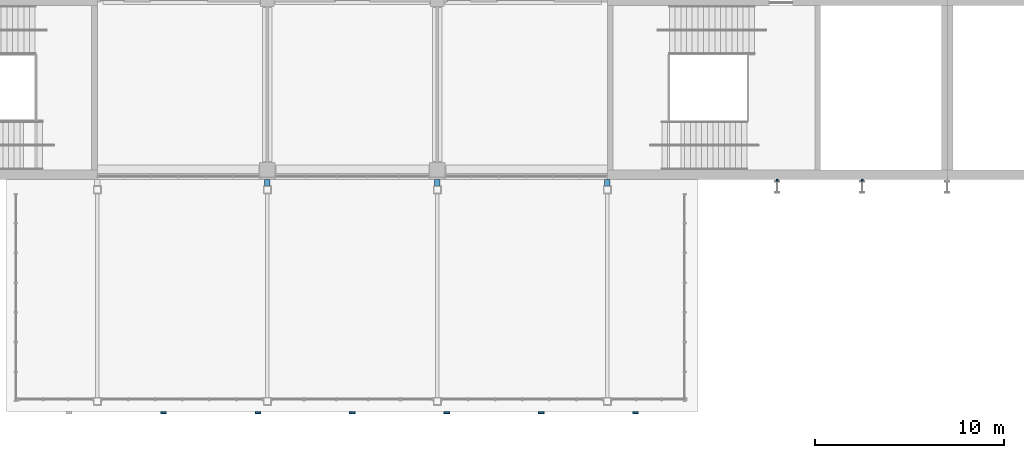
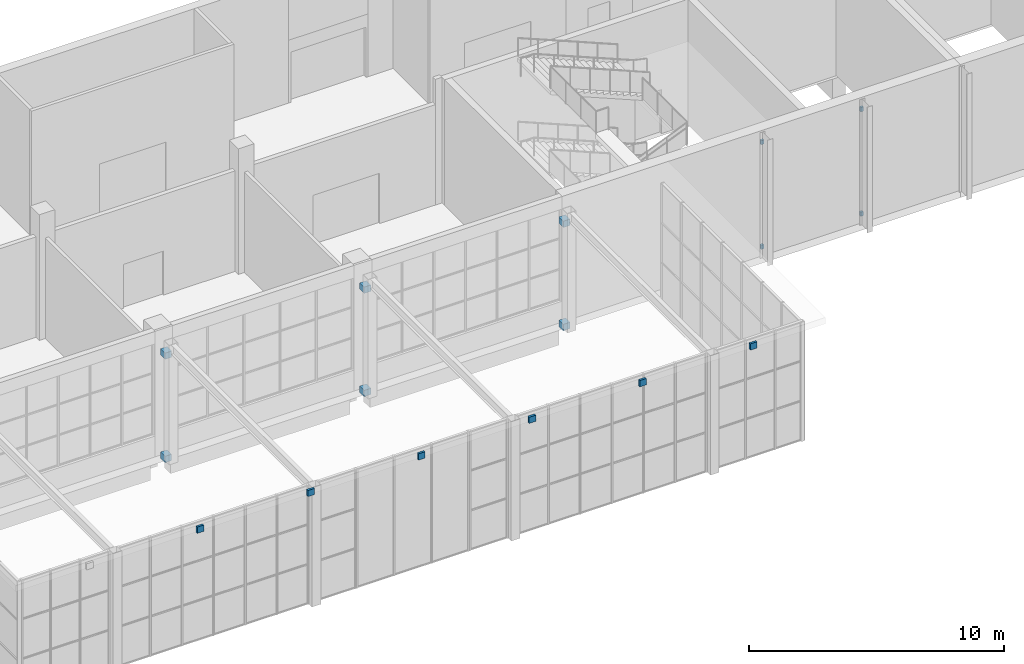
# One storey, part 56 of 89: 16 discrete accessories.
"""IFC4 building model written with IfcOpenShell, lengths in metres."""

from ifc_helpers import new_model, si_unit, direction, frame, origin, origin_2d, place, context, subcontext, project, spatial, rectangle, extrude, material, type_object, element, save


model = new_model("IFC4")

# Units and contexts
model_context = context("Model", 3, precision=1e-05, world=origin(), true_north=direction((0.0, 1.0)))
body_context = subcontext(model_context, "Body", "Model", "MODEL_VIEW")
ifc_project = project(units=[si_unit("LENGTHUNIT", "METRE"), si_unit("AREAUNIT", "SQUARE_METRE"), si_unit("VOLUMEUNIT", "CUBIC_METRE"), si_unit("PLANEANGLEUNIT", "RADIAN"), si_unit("MASSUNIT", "GRAM", prefix="KILO")], contexts=[model_context])

# Site, building, storey
site_placement = place(None, origin())
site = spatial("IfcSite", under=ifc_project, at=site_placement, CompositionType="ELEMENT")
building_placement = place(site_placement, origin())
building = spatial("IfcBuilding", under=site, at=building_placement, Name="Silverbay Arena", CompositionType="ELEMENT")
storey_placement = place(building_placement, frame((0.0, 0.0, 22.0)))
storey = spatial("IfcBuildingStorey", under=building, at=storey_placement, Name="L03", CompositionType="ELEMENT", Elevation=22.0)

# Discrete accessories
ifc_material = material(Name="Steel S355", Category="steel")
discrete_accessory_type = type_object("IfcDiscreteAccessoryType", Name="Steel bracket plate", PredefinedType="BRACKET", material=ifc_material)
for number, where, z_axis, x_axis, name in (
    (1, (153.0, 17.449951171875, 0.39990234375), (0.0, 0.0, 1.0), (1.0, 0.0, 0.0), "Fin bracket"),
    (2, (153.0, 17.449951171875, 5.39990234375), (0.0, 0.0, 1.0), (1.0, 0.0, 0.0), "Fin bracket"),
    (3, (157.5, 17.449951171875, 0.39990234375), (0.0, 0.0, 1.0), (1.0, 0.0, 0.0), "Fin bracket"),
    (4, (157.5, 17.449951171875, 5.39990234375), (0.0, 0.0, 1.0), (1.0, 0.0, 0.0), "Fin bracket"),
):
    element("IfcDiscreteAccessory", number, at=place(storey_placement, frame(where, z_axis=z_axis, x_axis=x_axis)), inside=storey, type_object=discrete_accessory_type, Name=name, PredefinedType="BRACKET", context=body_context, shape_type="SweptSolid", body=[
        extrude(rectangle(XDim=0.1201171875, YDim=0.10009765625, at=origin_2d()), origin(), (0.0, 0.0, 1.0), 0.199951171875),
    ])
for number, where, z_axis, x_axis, name in (
    (5, (126.0, 17.324951171875, -0.14990234375), (0.0, 0.0, 1.0), (1.0, 0.0, 0.0), "Hall column bracket plate"),
    (6, (126.0, 17.324951171875, 4.78271484375), (0.0, 0.0, 1.0), (1.0, 0.0, 0.0), "Hall column bracket plate"),
    (7, (135.0, 17.324951171875, -0.14990234375), (0.0, 0.0, 1.0), (1.0, 0.0, 0.0), "Hall column bracket plate"),
    (8, (135.0, 17.324951171875, 4.78271484375), (0.0, 0.0, 1.0), (1.0, 0.0, 0.0), "Hall column bracket plate"),
    (9, (144.0, 17.324951171875, -0.14990234375), (0.0, 0.0, 1.0), (1.0, 0.0, 0.0), "Hall column bracket plate"),
    (10, (144.0, 17.324951171875, 4.78271484375), (0.0, 0.0, 1.0), (1.0, 0.0, 0.0), "Hall column bracket plate"),
):
    element("IfcDiscreteAccessory", number, at=place(storey_placement, frame(where, z_axis=z_axis, x_axis=x_axis)), inside=storey, type_object=discrete_accessory_type, Name=name, PredefinedType="BRACKET", context=body_context, shape_type="SweptSolid", body=[
        extrude(rectangle(XDim=0.300048828125, YDim=0.35009765625, at=origin_2d()), origin(), (0.0, 0.0, 1.0), 0.300048828125),
    ])
for number, where, z_axis, x_axis, name in (
    (11, (120.5, 5.14990234375, 5.7001953125), (0.0, 0.0, 1.0), (1.0, 0.0, 0.0), "Canopy tie roof lug plate"),
    (12, (125.5, 5.14990234375, 5.7001953125), (0.0, 0.0, 1.0), (1.0, 0.0, 0.0), "Canopy tie roof lug plate"),
    (13, (130.5, 5.14990234375, 5.7001953125), (0.0, 0.0, 1.0), (1.0, 0.0, 0.0), "Canopy tie roof lug plate"),
    (14, (135.5, 5.14990234375, 5.7001953125), (0.0, 0.0, 1.0), (1.0, 0.0, 0.0), "Canopy tie roof lug plate"),
    (15, (140.5, 5.14990234375, 5.7001953125), (0.0, 0.0, 1.0), (1.0, 0.0, 0.0), "Canopy tie roof lug plate"),
    (16, (145.5, 5.14990234375, 5.7001953125), (0.0, 0.0, 1.0), (1.0, 0.0, 0.0), "Canopy tie roof lug plate"),
):
    element("IfcDiscreteAccessory", number, at=place(storey_placement, frame(where, z_axis=z_axis, x_axis=x_axis)), inside=storey, type_object=discrete_accessory_type, Name=name, PredefinedType="BRACKET", context=body_context, shape_type="SweptSolid", body=[
        extrude(rectangle(XDim=0.300048828125, YDim=0.10009765625, at=origin_2d()), origin(), (0.0, 0.0, 1.0), 0.300048828125),
    ])

save(model, "model.ifc")
